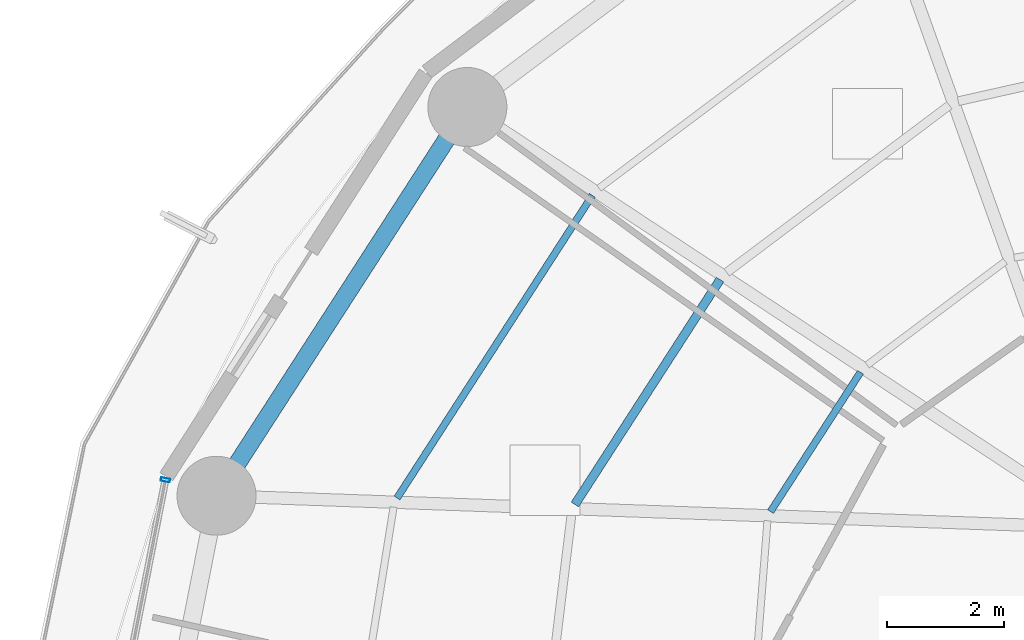
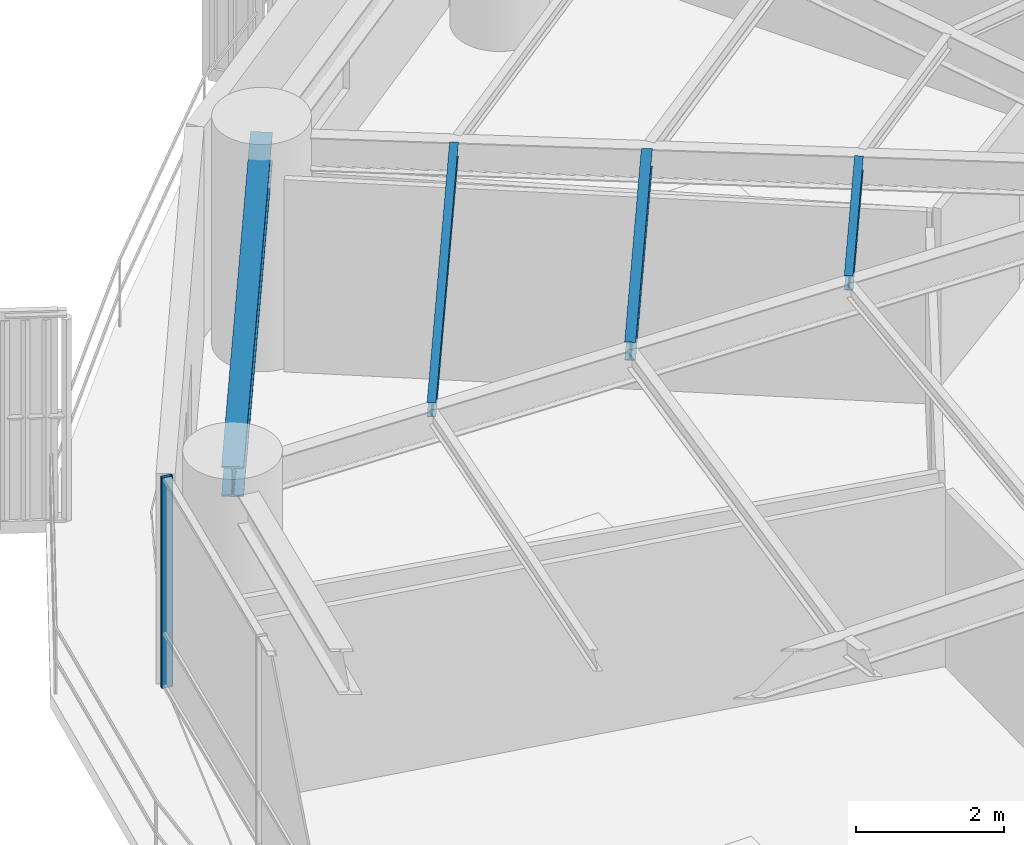
# One storey, part 18 of 35: 4 beams, 1 member, 1 element without a shape of its own.
"""IFC4 building model written with IfcOpenShell, lengths in metres."""

from ifc_helpers import new_model, si_unit, direction, frame, origin, origin_2d, place, context, subcontext, project, spatial, hollow_rectangle, i_section, extrude, material, layer, layer_set, material_profile, profile_set, type_object, element, aggregate, save


model = new_model("IFC4")

# Units and contexts
model_context = context("Model", 3, precision=1e-05, world=origin(), true_north=direction((0.0, 1.0)))
body_context = subcontext(model_context, "Body", "Model", "MODEL_VIEW")
ifc_project = project(units=[si_unit("LENGTHUNIT", "METRE"), si_unit("AREAUNIT", "SQUARE_METRE"), si_unit("VOLUMEUNIT", "CUBIC_METRE"), si_unit("PLANEANGLEUNIT", "RADIAN"), si_unit("MASSUNIT", "GRAM", prefix="KILO")], contexts=[model_context])

# Site, building, storey
site_placement = place(None, origin())
site = spatial("IfcSite", under=ifc_project, at=site_placement, CompositionType="ELEMENT")
building_placement = place(site_placement, origin())
building = spatial("IfcBuilding", under=site, at=building_placement, Name="Kelanora Arch Commons", CompositionType="ELEMENT")
storey_placement = place(building_placement, frame((0.0, 0.0, 117.60009765625)))
storey = spatial("IfcBuildingStorey", under=building, at=storey_placement, Name="L30", CompositionType="ELEMENT", Elevation=117.60009765625)

# Beams
ifc_material_1 = material(Name="Steel S355", Category="steel")
ifc_material_profile_1 = material_profile(ifc_material_1, i_section(OverallWidth=0.14990234375, OverallDepth=0.300048828125, WebThickness=0.007080078125, FlangeThickness=0.0107421875, FilletRadius=0.014892578125, at=origin_2d()), Name="IPE300")
ifc_profile_set_1 = profile_set([ifc_material_profile_1], Name="Steel S355")
beam_type_1 = type_object("IfcBeamType", Name="BM-JST-01", PredefinedType="JOIST", material=ifc_profile_set_1)
beam_1_placement = place(storey_placement, frame((59.410400390625, 69.244384765625, 3.33984375), z_axis=(-0.542230243286, -0.840229946661, 0.0), x_axis=(0.840229946661, -0.542230243286, 0.0)))
element("IfcBeam", 1, at=beam_1_placement, inside=storey, type_object=beam_type_1, Name="Secondary Chord Joist BJB-14 L30", PredefinedType="JOIST", context=body_context, shape_type="SweptSolid", body=[
    extrude(i_section(OverallWidth=0.14990234375, OverallDepth=0.300048828125, WebThickness=0.007080078125, FlangeThickness=0.0107421875, FilletRadius=0.014892578125, at=origin_2d()), origin(), (0.0, 0.0, 1.0), 4.572265625),
])
ifc_material_profile_2 = material_profile(ifc_material_1, i_section(OverallWidth=0.1201171875, OverallDepth=0.239990234375, WebThickness=0.006103515625, FlangeThickness=0.009765625, FilletRadius=0.014892578125, at=origin_2d()), Name="IPE240")
ifc_profile_set_2 = profile_set([ifc_material_profile_2], Name="Steel S355")
beam_type_2 = type_object("IfcBeamType", Name="BM-JST-02", PredefinedType="JOIST", material=ifc_profile_set_2)
beam_2_placement = place(storey_placement, frame((61.8095703125, 67.661865234375, 3.369873046875), z_axis=(-0.542211255502, -0.840242199849, 0.0), x_axis=(0.840242199849, -0.542211255502, 0.0)))
element("IfcBeam", 2, at=beam_2_placement, inside=storey, type_object=beam_type_2, Name="Secondary Chord Joist BJA-14 L30", PredefinedType="JOIST", context=body_context, shape_type="SweptSolid", body=[
    extrude(i_section(OverallWidth=0.1201171875, OverallDepth=0.239990234375, WebThickness=0.006103515625, FlangeThickness=0.009765625, FilletRadius=0.014892578125, at=origin_2d()), origin(), (0.0, 0.0, 1.0), 2.83349609375),
])
beam_3_placement = place(storey_placement, frame((57.22900390625, 70.682861328125, 3.369873046875), z_axis=(-0.542212726273, -0.840241250754, 0.0), x_axis=(0.840241250754, -0.542212726273, 0.0)))
element("IfcBeam", 3, at=beam_3_placement, inside=storey, type_object=beam_type_2, Name="Secondary Chord Joist BJC-14 L30", PredefinedType="JOIST", context=body_context, shape_type="SweptSolid", body=[
    extrude(i_section(OverallWidth=0.1201171875, OverallDepth=0.239990234375, WebThickness=0.006103515625, FlangeThickness=0.009765625, FilletRadius=0.014892578125, at=origin_2d()), origin(), (0.0, 0.0, 1.0), 6.15283203125),
])
ifc_material_profile_3 = material_profile(ifc_material_1, i_section(OverallWidth=0.300048828125, OverallDepth=0.5, WebThickness=0.014404296875, FlangeThickness=0.028076171875, FilletRadius=0.027099609375, at=origin_2d()), Name="HEB500")
ifc_profile_set_3 = profile_set([ifc_material_profile_3], Name="Steel S355")
beam_type_3 = type_object("IfcBeamType", Name="BM-SPN-Z2", PredefinedType="SPANDREL", material=ifc_profile_set_3)
beam_4_placement = place(storey_placement, frame((55.093994140625, 72.19287109375, 3.239990234375), z_axis=(-0.542221144054, -0.840235818649, 0.0), x_axis=(0.840235818649, -0.542221144054, 0.0)))
element("IfcBeam", 4, at=beam_4_placement, inside=storey, type_object=beam_type_3, Name="Perimeter Spandrel Beam BS-14 L30", PredefinedType="SPANDREL", context=body_context, shape_type="SweptSolid", body=[
    extrude(i_section(OverallWidth=0.300048828125, OverallDepth=0.5, WebThickness=0.014404296875, FlangeThickness=0.028076171875, FilletRadius=0.027099609375, at=origin_2d()), origin(), (0.0, 0.0, 1.0), 7.90380859375),
])

# Curtain wall, member
ifc_material_2 = material(Name="Terracotta ceramic-fritted low-E glass and aluminium", Category="masonry")
ifc_layer = layer(ifc_material_2, 0.159912109375)
ifc_layer_set = layer_set([ifc_layer], Name="Terracotta ceramic-fritted low-E glass and aluminium")
curtain_wall_type = type_object("IfcCurtainWallType", Name="CW-SYS-01", PredefinedType="NOTDEFINED", material=ifc_layer_set)
curtain_wall_placement = place(storey_placement, origin())
curtain_wall = element("IfcCurtainWall", 5, at=curtain_wall_placement, inside=storey, type_object=curtain_wall_type, Name="Unitised Curtain Wall L30-B08", PredefinedType="NOTDEFINED")
ifc_material_3 = material(Name="Powder-coated aluminium terracotta", Category="masonry")
ifc_material_profile_4 = material_profile(ifc_material_3, hollow_rectangle(XDim=0.159912109375, YDim=0.06005859375, WallThickness=0.0048828125, InnerFilletRadius=0.0048828125, OuterFilletRadius=0.010009765625, at=origin_2d()), Name="CWM160x60")
ifc_profile_set_4 = profile_set([ifc_material_profile_4], Name="Powder-coated aluminium terracotta")
member_type = type_object("IfcMemberType", Name="CWM-STD", PredefinedType="MULLION", material=ifc_profile_set_4)
member_placement = place(storey_placement, frame((49.935302734375, 65.822265625, 0.0), z_axis=(0.0, 0.0, 1.0), x_axis=(0.981280311646, -0.192584916272, 0.0)))
member = element("IfcMember", 6, at=member_placement, type_object=member_type, Name="CW-01 mullion 1", PredefinedType="MULLION", context=body_context, shape_type="SweptSolid", body=[
    extrude(hollow_rectangle(XDim=0.159912109375, YDim=0.06005859375, WallThickness=0.0048828125, InnerFilletRadius=0.0048828125, OuterFilletRadius=0.010009765625, at=origin_2d()), origin(), (0.0, 0.0, 1.0), 3.474853515625),
])
aggregate(curtain_wall, [member])

save(model, "model.ifc")
